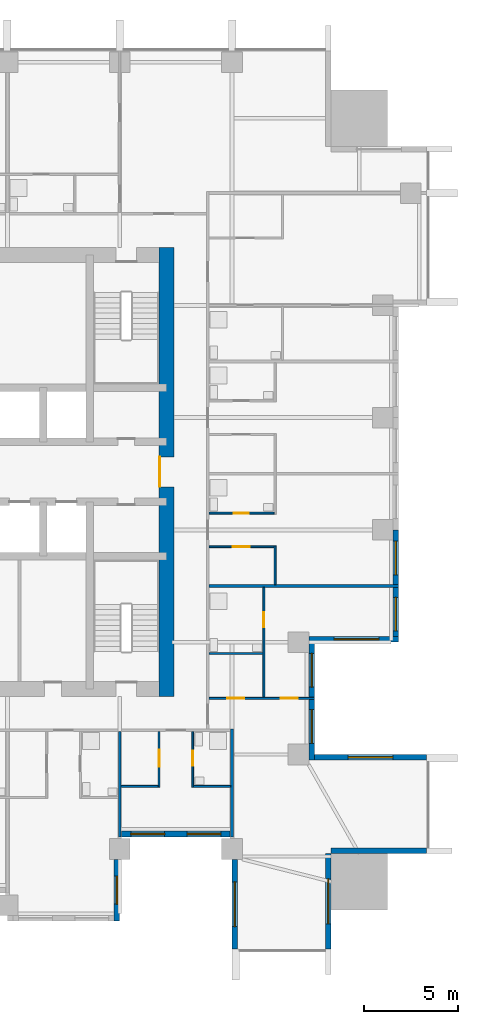
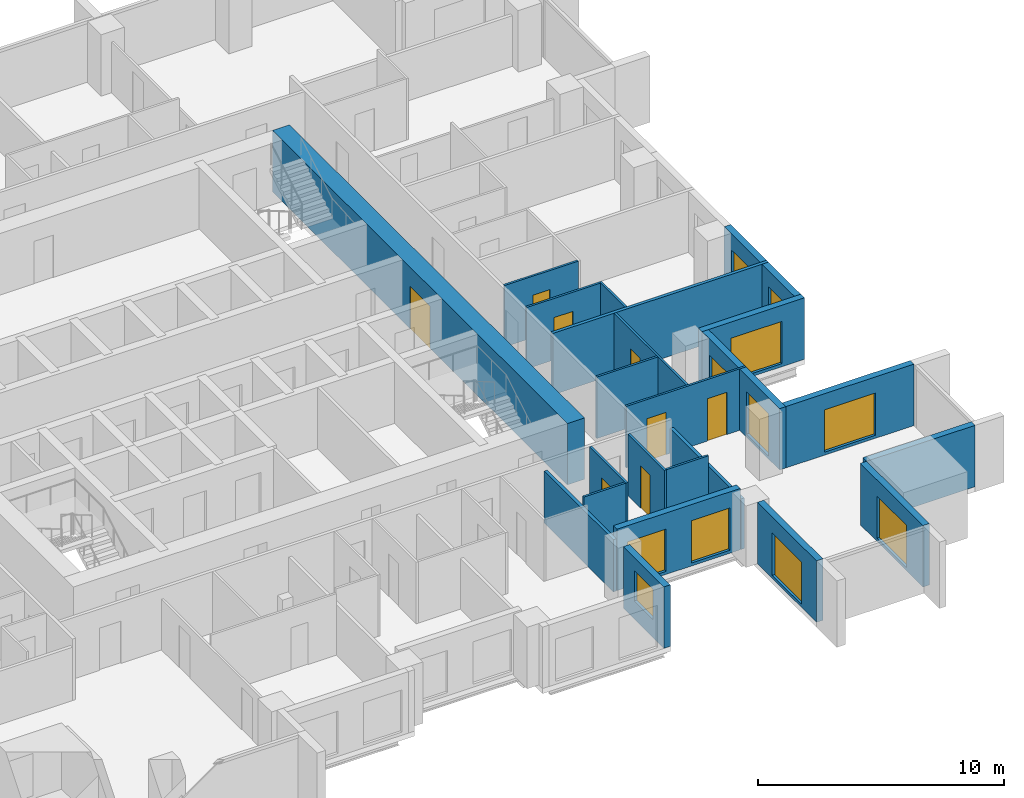
# One storey, part 6 of 11: 23 walls, 11 windows, 8 doors, 19 openings.
"""IFC4 building model written with IfcOpenShell, lengths in metres."""

from ifc_helpers import new_model, si_unit, direction, frame, frame_2d, origin, place, context, subcontext, project, spatial, rectangle, extrude, material, layer, layer_set, type_object, element, fill, save


model = new_model("IFC4")

# Units and contexts
model_context = context("Model", 3, precision=1e-05, world=origin(), true_north=direction((0.0, 1.0)))
body_context = subcontext(model_context, "Body", "Model", "MODEL_VIEW")
ifc_project = project(units=[si_unit("LENGTHUNIT", "METRE"), si_unit("AREAUNIT", "SQUARE_METRE"), si_unit("VOLUMEUNIT", "CUBIC_METRE"), si_unit("PLANEANGLEUNIT", "RADIAN"), si_unit("MASSUNIT", "GRAM", prefix="KILO")], contexts=[model_context])

# Site, building, storey
site_placement = place(None, origin())
site = spatial("IfcSite", under=ifc_project, at=site_placement, CompositionType="ELEMENT")
building_placement = place(site_placement, origin())
building = spatial("IfcBuilding", under=site, at=building_placement, Name="Amberfall Residences", CompositionType="ELEMENT")
storey_placement = place(building_placement, frame((0.0, 0.0, 91.89990234375)))
storey = spatial("IfcBuildingStorey", under=building, at=storey_placement, Name="L24", CompositionType="ELEMENT", Elevation=91.89990234375)

# Wall, opening, window
ifc_material_1 = material(Name="Pale stone cladding on insulated backing", Category="masonry")
ifc_layer_1 = layer(ifc_material_1, 0.300048828125)
ifc_layer_set_1 = layer_set([ifc_layer_1], Name="Bronze clad wall 300")
wall_type_1 = type_object("IfcWallType", Name="Bronze clad wall 300", PredefinedType="SOLIDWALL", material=ifc_layer_set_1)
wall_1_placement = place(storey_placement, frame((83.449951171875, 21.5, 0.0), z_axis=(0.0, 0.0, 1.0), x_axis=(0.0, 1.0, 0.0)))
wall_1 = element("IfcWall", 1, at=wall_1_placement, inside=storey, type_object=wall_type_1, Name="External wall L24 S", PredefinedType="SOLIDWALL", context=body_context, shape_type="SweptSolid", body=[
    extrude(rectangle(XDim=3.300048828125, YDim=0.300048828125, at=frame_2d((1.64990234375, 0.0))), origin(), (0.0, 0.0, 1.0), 3.050048828125),
])
opening_1_placement = place(wall_1_placement, frame((0.89990234375, 0.0, 0.89990234375)))
opening_1 = element("IfcOpeningElement", 2, at=opening_1_placement, cuts=wall_1, Name="Opening WN1", PredefinedType="OPENING", context=body_context, shape_type="SweptSolid", body=[
    extrude(rectangle(XDim=1.5, YDim=1.5, at=frame_2d((0.75, 0.75))), frame((0.0, 0.159912109375, 0.0), z_axis=(0.0, -1.0, 0.0), x_axis=(1.0, 0.0, 0.0)), (0.0, 0.0, 1.0), 0.320068359375),
])
ifc_material_2 = material(Name="Bronze aluminium framed glazing", Category="aluminium")
window_type_1 = type_object("IfcWindowType", Name="Window 1500 x 1500 bronze", PartitioningType="DOUBLE_PANEL_VERTICAL", PredefinedType="WINDOW", material=ifc_material_2)
window_1_placement = place(opening_1_placement, origin())
window_1 = element("IfcWindow", 3, at=window_1_placement, inside=storey, type_object=window_type_1, Name="Window L24 S", OverallHeight=1.5, OverallWidth=1.5, PartitioningType="DOUBLE_PANEL_VERTICAL", PredefinedType="WINDOW", context=body_context, shape_type="SweptSolid", body=[
    extrude(rectangle(XDim=1.5, YDim=1.5, at=frame_2d((0.75, 0.75))), frame((0.0, 0.030029296875, 0.0), z_axis=(0.0, -1.0, 0.0), x_axis=(1.0, 0.0, 0.0)), (0.0, 0.0, 1.0), 0.06005859375),
])
fill(opening_1, window_1)

wall_2_placement = place(storey_placement, frame((89.75, 24.800048828125, 0.0), z_axis=(0.0, 0.0, 1.0), x_axis=(0.0, -1.0, 0.0)))
wall_2 = element("IfcWall", 4, at=wall_2_placement, inside=storey, type_object=wall_type_1, Name="External wall L24 S", PredefinedType="SOLIDWALL", context=body_context, shape_type="SweptSolid", body=[
    extrude(rectangle(XDim=4.800048828125, YDim=0.300048828125, at=frame_2d((2.39990234375, 0.0))), origin(), (0.0, 0.0, 1.0), 3.050048828125),
])
opening_2_placement = place(wall_2_placement, frame((1.199951171875, 0.0, 0.14990234375)))
opening_2 = element("IfcOpeningElement", 5, at=opening_2_placement, cuts=wall_2, Name="Opening WN5", PredefinedType="OPENING", context=body_context, shape_type="SweptSolid", body=[
    extrude(rectangle(XDim=2.39990234375, YDim=2.10009765625, at=frame_2d((1.199951171875, 1.050048828125))), frame((0.0, 0.159912109375, 0.0), z_axis=(0.0, -1.0, 0.0), x_axis=(1.0, 0.0, 0.0)), (0.0, 0.0, 1.0), 0.320068359375),
])
window_type_2 = type_object("IfcWindowType", Name="Glazed opening 2400 x 2100 bronze", PartitioningType="DOUBLE_PANEL_VERTICAL", PredefinedType="WINDOW", material=ifc_material_2)
window_2_placement = place(opening_2_placement, origin())
window_2 = element("IfcWindow", 6, at=window_2_placement, inside=storey, type_object=window_type_2, Name="Window L24 S", OverallHeight=2.10009765625, OverallWidth=2.39990234375, PartitioningType="DOUBLE_PANEL_VERTICAL", PredefinedType="WINDOW", context=body_context, shape_type="SweptSolid", body=[
    extrude(rectangle(XDim=2.39990234375, YDim=2.10009765625, at=frame_2d((1.199951171875, 1.050048828125))), frame((0.0, 0.030029296875, 0.0), z_axis=(0.0, -1.0, 0.0), x_axis=(1.0, 0.0, 0.0)), (0.0, 0.0, 1.0), 0.06005859375),
])
fill(opening_2, window_2)

wall_3_placement = place(storey_placement, frame((94.75, 20.0, 0.0), z_axis=(0.0, 0.0, 1.0), x_axis=(0.0, 1.0, 0.0)))
wall_3 = element("IfcWall", 7, at=wall_3_placement, inside=storey, type_object=wall_type_1, Name="External wall L24 SE", PredefinedType="SOLIDWALL", context=body_context, shape_type="SweptSolid", body=[
    extrude(rectangle(XDim=5.10009765625, YDim=0.300048828125, at=frame_2d((2.550048828125, 0.0))), origin(), (0.0, 0.0, 1.0), 3.050048828125),
])
opening_3_placement = place(wall_3_placement, frame((1.35009765625, 0.0, 0.14990234375)))
opening_3 = element("IfcOpeningElement", 8, at=opening_3_placement, cuts=wall_3, Name="Opening WN5", PredefinedType="OPENING", context=body_context, shape_type="SweptSolid", body=[
    extrude(rectangle(XDim=2.39990234375, YDim=2.10009765625, at=frame_2d((1.199951171875, 1.050048828125))), frame((0.0, 0.159912109375, 0.0), z_axis=(0.0, -1.0, 0.0), x_axis=(1.0, 0.0, 0.0)), (0.0, 0.0, 1.0), 0.320068359375),
])
window_3_placement = place(opening_3_placement, origin())
window_3 = element("IfcWindow", 9, at=window_3_placement, inside=storey, type_object=window_type_2, Name="Window L24 SE", OverallHeight=2.10009765625, OverallWidth=2.39990234375, PartitioningType="DOUBLE_PANEL_VERTICAL", PredefinedType="WINDOW", context=body_context, shape_type="SweptSolid", body=[
    extrude(rectangle(XDim=2.39990234375, YDim=2.10009765625, at=frame_2d((1.199951171875, 1.050048828125))), frame((0.0, 0.030029296875, 0.0), z_axis=(0.0, -1.0, 0.0), x_axis=(1.0, 0.0, 0.0)), (0.0, 0.0, 1.0), 0.06005859375),
])
fill(opening_3, window_3)

# Wall
wall_4_placement = place(storey_placement, frame((94.89990234375, 25.25, 0.0), z_axis=(0.0, 0.0, 1.0), x_axis=(1.0, 0.0, 0.0)))
element("IfcWall", 10, at=wall_4_placement, inside=storey, type_object=wall_type_1, Name="External wall L24 SE", PredefinedType="SOLIDWALL", context=body_context, shape_type="SweptSolid", body=[
    extrude(rectangle(XDim=5.10009765625, YDim=0.300048828125, at=frame_2d((2.550048828125, 0.0))), origin(), (0.0, 0.0, 1.0), 3.050048828125),
])

# Wall, opening, window
wall_5_placement = place(storey_placement, frame((100.0, 30.25, 0.0), z_axis=(0.0, 0.0, 1.0), x_axis=(-1.0, 0.0, 0.0)))
wall_5 = element("IfcWall", 11, at=wall_5_placement, inside=storey, type_object=wall_type_1, Name="External wall L24 E", PredefinedType="SOLIDWALL", context=body_context, shape_type="SweptSolid", body=[
    extrude(rectangle(XDim=6.0, YDim=0.300048828125, at=frame_2d((3.0, 0.0))), origin(), (0.0, 0.0, 1.0), 3.050048828125),
])
opening_4_placement = place(wall_5_placement, frame((1.800048828125, 0.0, 0.14990234375)))
opening_4 = element("IfcOpeningElement", 12, at=opening_4_placement, cuts=wall_5, Name="Opening WN5", PredefinedType="OPENING", context=body_context, shape_type="SweptSolid", body=[
    extrude(rectangle(XDim=2.39990234375, YDim=2.10009765625, at=frame_2d((1.199951171875, 1.050048828125))), frame((0.0, 0.159912109375, 0.0), z_axis=(0.0, -1.0, 0.0), x_axis=(1.0, 0.0, 0.0)), (0.0, 0.0, 1.0), 0.320068359375),
])
window_4_placement = place(opening_4_placement, origin())
window_4 = element("IfcWindow", 13, at=window_4_placement, inside=storey, type_object=window_type_2, Name="Window L24 E", OverallHeight=2.10009765625, OverallWidth=2.39990234375, PartitioningType="DOUBLE_PANEL_VERTICAL", PredefinedType="WINDOW", context=body_context, shape_type="SweptSolid", body=[
    extrude(rectangle(XDim=2.39990234375, YDim=2.10009765625, at=frame_2d((1.199951171875, 1.050048828125))), frame((0.0, 0.030029296875, 0.0), z_axis=(0.0, -1.0, 0.0), x_axis=(1.0, 0.0, 0.0)), (0.0, 0.0, 1.0), 0.06005859375),
])
fill(opening_4, window_4)

wall_6_placement = place(storey_placement, frame((93.699951171875, 36.550048828125, 0.0), z_axis=(0.0, 0.0, 1.0), x_axis=(1.0, 0.0, 0.0)))
wall_6 = element("IfcWall", 14, at=wall_6_placement, inside=storey, type_object=wall_type_1, Name="External wall L24 E", PredefinedType="SOLIDWALL", context=body_context, shape_type="SweptSolid", body=[
    extrude(rectangle(XDim=4.800048828125, YDim=0.300048828125, at=frame_2d((2.39990234375, 0.0))), origin(), (0.0, 0.0, 1.0), 3.050048828125),
])
opening_5_placement = place(wall_6_placement, frame((1.35009765625, 0.0, 0.14990234375)))
opening_5 = element("IfcOpeningElement", 15, at=opening_5_placement, cuts=wall_6, Name="Opening WN5", PredefinedType="OPENING", context=body_context, shape_type="SweptSolid", body=[
    extrude(rectangle(XDim=2.39990234375, YDim=2.10009765625, at=frame_2d((1.199951171875, 1.050048828125))), frame((0.0, 0.159912109375, 0.0), z_axis=(0.0, -1.0, 0.0), x_axis=(1.0, 0.0, 0.0)), (0.0, 0.0, 1.0), 0.320068359375),
])
window_5_placement = place(opening_5_placement, origin())
window_5 = element("IfcWindow", 16, at=window_5_placement, inside=storey, type_object=window_type_2, Name="Window L24 E", OverallHeight=2.10009765625, OverallWidth=2.39990234375, PartitioningType="DOUBLE_PANEL_VERTICAL", PredefinedType="WINDOW", context=body_context, shape_type="SweptSolid", body=[
    extrude(rectangle(XDim=2.39990234375, YDim=2.10009765625, at=frame_2d((1.199951171875, 1.050048828125))), frame((0.0, 0.030029296875, 0.0), z_axis=(0.0, -1.0, 0.0), x_axis=(1.0, 0.0, 0.0)), (0.0, 0.0, 1.0), 0.06005859375),
])
fill(opening_5, window_5)

# Wall, openings, windows
wall_7_placement = place(storey_placement, frame((83.699951171875, 26.14990234375, 0.0), z_axis=(0.0, 0.0, 1.0), x_axis=(1.0, 0.0, 0.0)))
wall_7 = element("IfcWall", 17, at=wall_7_placement, inside=storey, type_object=wall_type_1, Name="Stone wall L24 S", PredefinedType="SOLIDWALL", context=body_context, shape_type="SweptSolid", body=[
    extrude(rectangle(XDim=5.7900390625, YDim=0.300048828125, at=frame_2d((2.89501953125, 0.0))), origin(), (0.0, 0.0, 1.0), 3.050048828125),
])
opening_6_placement = place(wall_7_placement, frame((0.5, 0.0, 0.14990234375)))
opening_6 = element("IfcOpeningElement", 18, at=opening_6_placement, cuts=wall_7, Name="Opening WN6", PredefinedType="OPENING", context=body_context, shape_type="SweptSolid", body=[
    extrude(rectangle(XDim=1.800048828125, YDim=2.10009765625, at=frame_2d((0.89990234375, 1.050048828125))), frame((0.0, 0.159912109375, 0.0), z_axis=(0.0, -1.0, 0.0), x_axis=(1.0, 0.0, 0.0)), (0.0, 0.0, 1.0), 0.320068359375),
])
opening_7_placement = place(wall_7_placement, frame((3.5, 0.0, 0.14990234375)))
opening_7 = element("IfcOpeningElement", 19, at=opening_7_placement, cuts=wall_7, Name="Opening WN6", PredefinedType="OPENING", context=body_context, shape_type="SweptSolid", body=[
    extrude(rectangle(XDim=1.800048828125, YDim=2.10009765625, at=frame_2d((0.89990234375, 1.050048828125))), frame((0.0, 0.159912109375, 0.0), z_axis=(0.0, -1.0, 0.0), x_axis=(1.0, 0.0, 0.0)), (0.0, 0.0, 1.0), 0.320068359375),
])
window_type_3 = type_object("IfcWindowType", Name="Glazed opening 1800 x 2100 bronze", PartitioningType="DOUBLE_PANEL_VERTICAL", PredefinedType="WINDOW", material=ifc_material_2)
window_6_placement = place(opening_6_placement, origin())
window_6 = element("IfcWindow", 20, at=window_6_placement, inside=storey, type_object=window_type_3, Name="Window L24 S", OverallHeight=2.10009765625, OverallWidth=1.800048828125, PartitioningType="DOUBLE_PANEL_VERTICAL", PredefinedType="WINDOW", context=body_context, shape_type="SweptSolid", body=[
    extrude(rectangle(XDim=1.800048828125, YDim=2.10009765625, at=frame_2d((0.89990234375, 1.050048828125))), frame((0.0, 0.030029296875, 0.0), z_axis=(0.0, -1.0, 0.0), x_axis=(1.0, 0.0, 0.0)), (0.0, 0.0, 1.0), 0.06005859375),
])
fill(opening_6, window_6)
window_7_placement = place(opening_7_placement, origin())
window_7 = element("IfcWindow", 21, at=window_7_placement, inside=storey, type_object=window_type_3, Name="Window L24 S", OverallHeight=2.10009765625, OverallWidth=1.800048828125, PartitioningType="DOUBLE_PANEL_VERTICAL", PredefinedType="WINDOW", context=body_context, shape_type="SweptSolid", body=[
    extrude(rectangle(XDim=1.800048828125, YDim=2.10009765625, at=frame_2d((0.89990234375, 1.050048828125))), frame((0.0, 0.030029296875, 0.0), z_axis=(0.0, -1.0, 0.0), x_axis=(1.0, 0.0, 0.0)), (0.0, 0.0, 1.0), 0.06005859375),
])
fill(opening_7, window_7)

wall_8_placement = place(storey_placement, frame((93.85009765625, 30.10009765625, 0.0), z_axis=(0.0, 0.0, 1.0), x_axis=(0.0, 1.0, 0.0)))
wall_8 = element("IfcWall", 22, at=wall_8_placement, inside=storey, type_object=wall_type_1, Name="Stone wall L24 E", PredefinedType="SOLIDWALL", context=body_context, shape_type="SweptSolid", body=[
    extrude(rectangle(XDim=6.2998046875, YDim=0.300048828125, at=frame_2d((3.14990234375, 0.0))), origin(), (0.0, 0.0, 1.0), 3.050048828125),
])
opening_8_placement = place(wall_8_placement, frame((0.89990234375, 0.0, 0.14990234375)))
opening_8 = element("IfcOpeningElement", 23, at=opening_8_placement, cuts=wall_8, Name="Opening WN6", PredefinedType="OPENING", context=body_context, shape_type="SweptSolid", body=[
    extrude(rectangle(XDim=1.800048828125, YDim=2.10009765625, at=frame_2d((0.89990234375, 1.050048828125))), frame((0.0, 0.159912109375, 0.0), z_axis=(0.0, -1.0, 0.0), x_axis=(1.0, 0.0, 0.0)), (0.0, 0.0, 1.0), 0.320068359375),
])
opening_9_placement = place(wall_8_placement, frame((3.89990234375, 0.0, 0.14990234375)))
opening_9 = element("IfcOpeningElement", 24, at=opening_9_placement, cuts=wall_8, Name="Opening WN6", PredefinedType="OPENING", context=body_context, shape_type="SweptSolid", body=[
    extrude(rectangle(XDim=1.800048828125, YDim=2.10009765625, at=frame_2d((0.89990234375, 1.050048828125))), frame((0.0, 0.159912109375, 0.0), z_axis=(0.0, -1.0, 0.0), x_axis=(1.0, 0.0, 0.0)), (0.0, 0.0, 1.0), 0.320068359375),
])
window_8_placement = place(opening_8_placement, origin())
window_8 = element("IfcWindow", 25, at=window_8_placement, inside=storey, type_object=window_type_3, Name="Window L24 E", OverallHeight=2.10009765625, OverallWidth=1.800048828125, PartitioningType="DOUBLE_PANEL_VERTICAL", PredefinedType="WINDOW", context=body_context, shape_type="SweptSolid", body=[
    extrude(rectangle(XDim=1.800048828125, YDim=2.10009765625, at=frame_2d((0.89990234375, 1.050048828125))), frame((0.0, 0.030029296875, 0.0), z_axis=(0.0, -1.0, 0.0), x_axis=(1.0, 0.0, 0.0)), (0.0, 0.0, 1.0), 0.06005859375),
])
fill(opening_8, window_8)
window_9_placement = place(opening_9_placement, origin())
window_9 = element("IfcWindow", 26, at=window_9_placement, inside=storey, type_object=window_type_3, Name="Window L24 E", OverallHeight=2.10009765625, OverallWidth=1.800048828125, PartitioningType="DOUBLE_PANEL_VERTICAL", PredefinedType="WINDOW", context=body_context, shape_type="SweptSolid", body=[
    extrude(rectangle(XDim=1.800048828125, YDim=2.10009765625, at=frame_2d((0.89990234375, 1.050048828125))), frame((0.0, 0.030029296875, 0.0), z_axis=(0.0, -1.0, 0.0), x_axis=(1.0, 0.0, 0.0)), (0.0, 0.0, 1.0), 0.06005859375),
])
fill(opening_9, window_9)

wall_9_placement = place(storey_placement, frame((98.35009765625, 36.699951171875, 0.0), z_axis=(0.0, 0.0, 1.0), x_axis=(0.0, 1.0, 0.0)))
wall_9 = element("IfcWall", 27, at=wall_9_placement, inside=storey, type_object=wall_type_1, Name="Stone wall L24 E", PredefinedType="SOLIDWALL", context=body_context, shape_type="SweptSolid", body=[
    extrude(rectangle(XDim=5.699951171875, YDim=0.300048828125, at=frame_2d((2.85009765625, 0.0))), origin(), (0.0, 0.0, 1.0), 3.050048828125),
])
opening_10_placement = place(wall_9_placement, frame((0.300048828125, 0.0, 0.14990234375)))
opening_10 = element("IfcOpeningElement", 28, at=opening_10_placement, cuts=wall_9, Name="Opening WN6", PredefinedType="OPENING", context=body_context, shape_type="SweptSolid", body=[
    extrude(rectangle(XDim=1.800048828125, YDim=2.10009765625, at=frame_2d((0.89990234375, 1.050048828125))), frame((0.0, 0.159912109375, 0.0), z_axis=(0.0, -1.0, 0.0), x_axis=(1.0, 0.0, 0.0)), (0.0, 0.0, 1.0), 0.320068359375),
])
opening_11_placement = place(wall_9_placement, frame((3.300048828125, 0.0, 0.14990234375)))
opening_11 = element("IfcOpeningElement", 29, at=opening_11_placement, cuts=wall_9, Name="Opening WN6", PredefinedType="OPENING", context=body_context, shape_type="SweptSolid", body=[
    extrude(rectangle(XDim=1.800048828125, YDim=2.10009765625, at=frame_2d((0.89990234375, 1.050048828125))), frame((0.0, 0.159912109375, 0.0), z_axis=(0.0, -1.0, 0.0), x_axis=(1.0, 0.0, 0.0)), (0.0, 0.0, 1.0), 0.320068359375),
])
window_10_placement = place(opening_10_placement, origin())
window_10 = element("IfcWindow", 30, at=window_10_placement, inside=storey, type_object=window_type_3, Name="Window L24 E", OverallHeight=2.10009765625, OverallWidth=1.800048828125, PartitioningType="DOUBLE_PANEL_VERTICAL", PredefinedType="WINDOW", context=body_context, shape_type="SweptSolid", body=[
    extrude(rectangle(XDim=1.800048828125, YDim=2.10009765625, at=frame_2d((0.89990234375, 1.050048828125))), frame((0.0, 0.030029296875, 0.0), z_axis=(0.0, -1.0, 0.0), x_axis=(1.0, 0.0, 0.0)), (0.0, 0.0, 1.0), 0.06005859375),
])
fill(opening_10, window_10)
window_11_placement = place(opening_11_placement, origin())
window_11 = element("IfcWindow", 31, at=window_11_placement, inside=storey, type_object=window_type_3, Name="Window L24 E", OverallHeight=2.10009765625, OverallWidth=1.800048828125, PartitioningType="DOUBLE_PANEL_VERTICAL", PredefinedType="WINDOW", context=body_context, shape_type="SweptSolid", body=[
    extrude(rectangle(XDim=1.800048828125, YDim=2.10009765625, at=frame_2d((0.89990234375, 1.050048828125))), frame((0.0, 0.030029296875, 0.0), z_axis=(0.0, -1.0, 0.0), x_axis=(1.0, 0.0, 0.0)), (0.0, 0.0, 1.0), 0.06005859375),
])
fill(opening_11, window_11)

# Wall, opening, door
ifc_material_3 = material(Name="Concrete C70", Category="concrete")
ifc_layer_2 = layer(ifc_material_3, 0.800048828125)
ifc_layer_set_2 = layer_set([ifc_layer_2], Name="Core wall 800 C70")
wall_type_2 = type_object("IfcWallType", Name="Core wall 800 C70", PredefinedType="SHEAR", material=ifc_layer_set_2)
wall_10_placement = place(storey_placement, frame((86.10009765625, 33.5, 0.0), z_axis=(0.0, 0.0, 1.0), x_axis=(0.0, 1.0, 0.0)))
wall_10 = element("IfcWall", 32, at=wall_10_placement, inside=storey, type_object=wall_type_2, Name="Core wall RW3 L24 OE", PredefinedType="SHEAR", context=body_context, shape_type="SweptSolid", body=[
    extrude(rectangle(XDim=24.0, YDim=0.800048828125, at=frame_2d((12.0, 0.0))), origin(), (0.0, 0.0, 1.0), 3.050048828125),
])
opening_12_placement = place(wall_10_placement, frame((11.199951171875, 0.0, 0.0)))
opening_12 = element("IfcOpeningElement", 33, at=opening_12_placement, cuts=wall_10, Name="Opening LB1", PredefinedType="OPENING", context=body_context, shape_type="SweptSolid", body=[
    extrude(rectangle(XDim=1.60009765625, YDim=2.10009765625, at=frame_2d((0.800048828125, 1.050048828125))), frame((0.0, 0.409912109375, 0.0), z_axis=(0.0, -1.0, 0.0), x_axis=(1.0, 0.0, 0.0)), (0.0, 0.0, 1.0), 0.820068359375),
])
ifc_material_4 = material(Name="Steel fire door set", Category="steel")
door_type_1 = type_object("IfcDoorType", Name="Lift lobby double door 1600 x 2100", OperationType="DOUBLE_DOOR_SINGLE_SWING", PredefinedType="DOOR", material=ifc_material_4)
door_1_placement = place(opening_12_placement, origin())
door_1 = element("IfcDoor", 34, at=door_1_placement, inside=storey, type_object=door_type_1, Name="LB1 L24", OperationType="DOUBLE_DOOR_SINGLE_SWING", OverallHeight=2.10009765625, OverallWidth=1.60009765625, PredefinedType="DOOR", context=body_context, shape_type="SweptSolid", body=[
    extrude(rectangle(XDim=1.60009765625, YDim=2.10009765625, at=frame_2d((0.800048828125, 1.050048828125))), frame((0.0, 0.3876953125, 0.0), z_axis=(0.0, -1.0, 0.0), x_axis=(1.0, 0.0, 0.0)), (0.0, 0.0, 1.0), 0.050048828125),
])
fill(opening_12, door_1)

ifc_material_5 = material(Name="Gypsum board on metal stud")
ifc_layer_3 = layer(ifc_material_5, 0.10009765625)
ifc_layer_set_3 = layer_set([ifc_layer_3], Name="Flat partition 100")
wall_type_3 = type_object("IfcWallType", Name="Flat partition 100", PredefinedType="PARTITIONING", material=ifc_layer_set_3)
wall_11_placement = place(storey_placement, frame((85.699951171875, 28.64990234375, 0.0), z_axis=(0.0, 0.0, 1.0), x_axis=(0.0, 1.0, 0.0)))
wall_11 = element("IfcWall", 35, at=wall_11_placement, inside=storey, type_object=wall_type_3, Name="Partition 019", PredefinedType="PARTITIONING", context=body_context, shape_type="SweptSolid", body=[
    extrude(rectangle(XDim=2.97509765625, YDim=0.10009765625, at=frame_2d((1.487548828125, 0.0))), origin(), (0.0, 0.0, 1.0), 3.050048828125),
])
opening_13_placement = place(wall_11_placement, frame((1.10009765625, 0.0, 0.0)))
opening_13 = element("IfcOpeningElement", 36, at=opening_13_placement, cuts=wall_11, Name="Opening D41", PredefinedType="OPENING", context=body_context, shape_type="SweptSolid", body=[
    extrude(rectangle(XDim=0.89990234375, YDim=2.10009765625, at=frame_2d((0.449951171875, 1.050048828125))), frame((0.0, 0.06005859375, 0.0), z_axis=(0.0, -1.0, 0.0), x_axis=(1.0, 0.0, 0.0)), (0.0, 0.0, 1.0), 0.1201171875),
])
ifc_material_6 = material(Name="Timber", Category="wood")
door_type_2 = type_object("IfcDoorType", Name="Internal door 900 x 2100", OperationType="SINGLE_SWING_LEFT", PredefinedType="DOOR", material=ifc_material_6)
door_2_placement = place(opening_13_placement, origin())
door_2 = element("IfcDoor", 37, at=door_2_placement, inside=storey, type_object=door_type_2, Name="Door 2404 kitchen", OperationType="SINGLE_SWING_LEFT", OverallHeight=2.10009765625, OverallWidth=0.89990234375, PredefinedType="DOOR", context=body_context, shape_type="SweptSolid", body=[
    extrude(rectangle(XDim=0.89990234375, YDim=2.10009765625, at=frame_2d((0.449951171875, 1.050048828125))), frame((0.0, 0.02490234375, 0.0), z_axis=(0.0, -1.0, 0.0), x_axis=(1.0, 0.0, 0.0)), (0.0, 0.0, 1.0), 0.050048828125),
])
fill(opening_13, door_2)

wall_12_placement = place(storey_placement, frame((87.5, 31.625, 0.0), z_axis=(0.0, 0.0, 1.0), x_axis=(0.0, -1.0, 0.0)))
wall_12 = element("IfcWall", 38, at=wall_12_placement, inside=storey, type_object=wall_type_3, Name="Partition 020", PredefinedType="PARTITIONING", context=body_context, shape_type="SweptSolid", body=[
    extrude(rectangle(XDim=2.97509765625, YDim=0.10009765625, at=frame_2d((1.487548828125, 0.0))), origin(), (0.0, 0.0, 1.0), 3.050048828125),
])
opening_14_placement = place(wall_12_placement, frame((1.02490234375, 0.0, 0.0)))
opening_14 = element("IfcOpeningElement", 39, at=opening_14_placement, cuts=wall_12, Name="Opening D42", PredefinedType="OPENING", context=body_context, shape_type="SweptSolid", body=[
    extrude(rectangle(XDim=0.800048828125, YDim=2.10009765625, at=frame_2d((0.39990234375, 1.050048828125))), frame((0.0, 0.06005859375, 0.0), z_axis=(0.0, -1.0, 0.0), x_axis=(1.0, 0.0, 0.0)), (0.0, 0.0, 1.0), 0.1201171875),
])
door_type_3 = type_object("IfcDoorType", Name="Bathroom door 800 x 2100", OperationType="SINGLE_SWING_LEFT", PredefinedType="DOOR", material=ifc_material_6)
door_3_placement = place(opening_14_placement, origin())
door_3 = element("IfcDoor", 40, at=door_3_placement, inside=storey, type_object=door_type_3, Name="Door 2404 bath1", OperationType="SINGLE_SWING_LEFT", OverallHeight=2.10009765625, OverallWidth=0.800048828125, PredefinedType="DOOR", context=body_context, shape_type="SweptSolid", body=[
    extrude(rectangle(XDim=0.800048828125, YDim=2.10009765625, at=frame_2d((0.39990234375, 1.050048828125))), frame((0.0, 0.02490234375, 0.0), z_axis=(0.0, -1.0, 0.0), x_axis=(1.0, 0.0, 0.0)), (0.0, 0.0, 1.0), 0.050048828125),
])
fill(opening_14, door_3)

wall_13_placement = place(storey_placement, frame((91.300048828125, 33.449951171875, 0.0), z_axis=(0.0, 0.0, 1.0), x_axis=(0.0, 1.0, 0.0)))
wall_13 = element("IfcWall", 41, at=wall_13_placement, inside=storey, type_object=wall_type_3, Name="Partition 021", PredefinedType="PARTITIONING", context=body_context, shape_type="SweptSolid", body=[
    extrude(rectangle(XDim=5.875, YDim=0.10009765625, at=frame_2d((2.9375, 0.0))), origin(), (0.0, 0.0, 1.0), 3.050048828125),
])
opening_15_placement = place(wall_13_placement, frame((3.75, 0.0, 0.0)))
opening_15 = element("IfcOpeningElement", 42, at=opening_15_placement, cuts=wall_13, Name="Opening D42", PredefinedType="OPENING", context=body_context, shape_type="SweptSolid", body=[
    extrude(rectangle(XDim=0.800048828125, YDim=2.10009765625, at=frame_2d((0.39990234375, 1.050048828125))), frame((0.0, 0.06005859375, 0.0), z_axis=(0.0, -1.0, 0.0), x_axis=(1.0, 0.0, 0.0)), (0.0, 0.0, 1.0), 0.1201171875),
])
door_4_placement = place(opening_15_placement, origin())
door_4 = element("IfcDoor", 43, at=door_4_placement, inside=storey, type_object=door_type_3, Name="Door 2405 bath1", OperationType="SINGLE_SWING_LEFT", OverallHeight=2.10009765625, OverallWidth=0.800048828125, PredefinedType="DOOR", context=body_context, shape_type="SweptSolid", body=[
    extrude(rectangle(XDim=0.800048828125, YDim=2.10009765625, at=frame_2d((0.39990234375, 1.050048828125))), frame((0.0, 0.02490234375, 0.0), z_axis=(0.0, -1.0, 0.0), x_axis=(1.0, 0.0, 0.0)), (0.0, 0.0, 1.0), 0.050048828125),
])
fill(opening_15, door_4)

# Wall
wall_14_placement = place(storey_placement, frame((91.89990234375, 39.47509765625, 0.0), z_axis=(0.0, 0.0, 1.0), x_axis=(0.0, 1.0, 0.0)))
element("IfcWall", 44, at=wall_14_placement, inside=storey, type_object=wall_type_3, Name="Partition 022", PredefinedType="PARTITIONING", context=body_context, shape_type="SweptSolid", body=[
    extrude(rectangle(XDim=2.074951171875, YDim=0.10009765625, at=frame_2d((1.03759765625, 0.0))), origin(), (0.0, 0.0, 1.0), 3.050048828125),
])

# Wall, opening, door
wall_15_placement = place(storey_placement, frame((88.375, 43.300048828125, 0.0), z_axis=(0.0, 0.0, 1.0), x_axis=(1.0, 0.0, 0.0)))
wall_15 = element("IfcWall", 45, at=wall_15_placement, inside=storey, type_object=wall_type_3, Name="Partition 039", PredefinedType="PARTITIONING", context=body_context, shape_type="SweptSolid", body=[
    extrude(rectangle(XDim=3.47509765625, YDim=0.10009765625, at=frame_2d((1.737548828125, 0.0))), origin(), (0.0, 0.0, 1.0), 3.050048828125),
])
opening_16_placement = place(wall_15_placement, frame((1.324951171875, 0.0, 0.0)))
opening_16 = element("IfcOpeningElement", 46, at=opening_16_placement, cuts=wall_15, Name="Opening D42", PredefinedType="OPENING", context=body_context, shape_type="SweptSolid", body=[
    extrude(rectangle(XDim=0.800048828125, YDim=2.10009765625, at=frame_2d((0.39990234375, 1.050048828125))), frame((0.0, 0.06005859375, 0.0), z_axis=(0.0, -1.0, 0.0), x_axis=(1.0, 0.0, 0.0)), (0.0, 0.0, 1.0), 0.1201171875),
])
door_5_placement = place(opening_16_placement, origin())
door_5 = element("IfcDoor", 47, at=door_5_placement, inside=storey, type_object=door_type_3, Name="Door 2406 bath1", OperationType="SINGLE_SWING_LEFT", OverallHeight=2.10009765625, OverallWidth=0.800048828125, PredefinedType="DOOR", context=body_context, shape_type="SweptSolid", body=[
    extrude(rectangle(XDim=0.800048828125, YDim=2.10009765625, at=frame_2d((0.39990234375, 1.050048828125))), frame((0.0, 0.02490234375, 0.0), z_axis=(0.0, -1.0, 0.0), x_axis=(1.0, 0.0, 0.0)), (0.0, 0.0, 1.0), 0.050048828125),
])
fill(opening_16, door_5)

wall_16_placement = place(storey_placement, frame((91.85009765625, 41.5, 0.0), z_axis=(0.0, 0.0, 1.0), x_axis=(-1.0, 0.0, 0.0)))
wall_16 = element("IfcWall", 48, at=wall_16_placement, inside=storey, type_object=wall_type_3, Name="Partition 040", PredefinedType="PARTITIONING", context=body_context, shape_type="SweptSolid", body=[
    extrude(rectangle(XDim=3.47509765625, YDim=0.10009765625, at=frame_2d((1.737548828125, 0.0))), origin(), (0.0, 0.0, 1.0), 3.050048828125),
])
opening_17_placement = place(wall_16_placement, frame((1.300048828125, 0.0, 0.0)))
opening_17 = element("IfcOpeningElement", 49, at=opening_17_placement, cuts=wall_16, Name="Opening D41", PredefinedType="OPENING", context=body_context, shape_type="SweptSolid", body=[
    extrude(rectangle(XDim=0.89990234375, YDim=2.10009765625, at=frame_2d((0.449951171875, 1.050048828125))), frame((0.0, 0.06005859375, 0.0), z_axis=(0.0, -1.0, 0.0), x_axis=(1.0, 0.0, 0.0)), (0.0, 0.0, 1.0), 0.1201171875),
])
door_6_placement = place(opening_17_placement, origin())
door_6 = element("IfcDoor", 50, at=door_6_placement, inside=storey, type_object=door_type_2, Name="Door 2406 kitchen", OperationType="SINGLE_SWING_LEFT", OverallHeight=2.10009765625, OverallWidth=0.89990234375, PredefinedType="DOOR", context=body_context, shape_type="SweptSolid", body=[
    extrude(rectangle(XDim=0.89990234375, YDim=2.10009765625, at=frame_2d((0.449951171875, 1.050048828125))), frame((0.0, 0.02490234375, 0.0), z_axis=(0.0, -1.0, 0.0), x_axis=(1.0, 0.0, 0.0)), (0.0, 0.0, 1.0), 0.050048828125),
])
fill(opening_17, door_6)

# Wall
wall_17_placement = place(storey_placement, frame((88.375, 35.800048828125, 0.0), z_axis=(0.0, 0.0, 1.0), x_axis=(1.0, 0.0, 0.0)))
element("IfcWall", 51, at=wall_17_placement, inside=storey, type_object=wall_type_3, Name="Partition 043", PredefinedType="PARTITIONING", context=body_context, shape_type="SweptSolid", body=[
    extrude(rectangle(XDim=2.875, YDim=0.10009765625, at=frame_2d((1.4375, 0.0))), origin(), (0.0, 0.0, 1.0), 3.050048828125),
])

# Wall, openings, doors
wall_18_placement = place(storey_placement, frame((88.375, 33.39990234375, 0.0), z_axis=(0.0, 0.0, 1.0), x_axis=(1.0, 0.0, 0.0)))
wall_18 = element("IfcWall", 52, at=wall_18_placement, inside=storey, type_object=wall_type_3, Name="Partition 045", PredefinedType="PARTITIONING", context=body_context, shape_type="SweptSolid", body=[
    extrude(rectangle(XDim=5.625, YDim=0.10009765625, at=frame_2d((2.8125, 0.0))), origin(), (0.0, 0.0, 1.0), 3.050048828125),
])
opening_18_placement = place(wall_18_placement, frame((0.97509765625, 0.0, 0.0)))
opening_18 = element("IfcOpeningElement", 53, at=opening_18_placement, cuts=wall_18, Name="Opening D41", PredefinedType="OPENING", context=body_context, shape_type="SweptSolid", body=[
    extrude(rectangle(XDim=0.89990234375, YDim=2.10009765625, at=frame_2d((0.449951171875, 1.050048828125))), frame((0.0, 0.06005859375, 0.0), z_axis=(0.0, -1.0, 0.0), x_axis=(1.0, 0.0, 0.0)), (0.0, 0.0, 1.0), 0.1201171875),
])
opening_19_placement = place(wall_18_placement, frame((3.824951171875, 0.0, 0.0)))
opening_19 = element("IfcOpeningElement", 54, at=opening_19_placement, cuts=wall_18, Name="Opening D41", PredefinedType="OPENING", context=body_context, shape_type="SweptSolid", body=[
    extrude(rectangle(XDim=0.89990234375, YDim=2.10009765625, at=frame_2d((0.449951171875, 1.050048828125))), frame((0.0, 0.06005859375, 0.0), z_axis=(0.0, -1.0, 0.0), x_axis=(1.0, 0.0, 0.0)), (0.0, 0.0, 1.0), 0.1201171875),
])
door_7_placement = place(opening_18_placement, origin())
door_7 = element("IfcDoor", 55, at=door_7_placement, inside=storey, type_object=door_type_2, Name="Door 2405 kitchen", OperationType="SINGLE_SWING_LEFT", OverallHeight=2.10009765625, OverallWidth=0.89990234375, PredefinedType="DOOR", context=body_context, shape_type="SweptSolid", body=[
    extrude(rectangle(XDim=0.89990234375, YDim=2.10009765625, at=frame_2d((0.449951171875, 1.050048828125))), frame((0.0, 0.02490234375, 0.0), z_axis=(0.0, -1.0, 0.0), x_axis=(1.0, 0.0, 0.0)), (0.0, 0.0, 1.0), 0.050048828125),
])
fill(opening_18, door_7)
door_8_placement = place(opening_19_placement, origin())
door_8 = element("IfcDoor", 56, at=door_8_placement, inside=storey, type_object=door_type_2, Name="Door 2405 bedroom1", OperationType="SINGLE_SWING_LEFT", OverallHeight=2.10009765625, OverallWidth=0.89990234375, PredefinedType="DOOR", context=body_context, shape_type="SweptSolid", body=[
    extrude(rectangle(XDim=0.89990234375, YDim=2.10009765625, at=frame_2d((0.449951171875, 1.050048828125))), frame((0.0, 0.02490234375, 0.0), z_axis=(0.0, -1.0, 0.0), x_axis=(1.0, 0.0, 0.0)), (0.0, 0.0, 1.0), 0.050048828125),
])
fill(opening_19, door_8)

# Walls
for number, where, z_axis, x_axis, name in (
    (57, (83.675048828125, 28.699951171875, 0.0), (0.0, 0.0, 1.0), (1.0, 0.0, 0.0), "Partition 047"),
    (58, (87.550048828125, 28.699951171875, 0.0), (0.0, 0.0, 1.0), (1.0, 0.0, 0.0), "Partition 048"),
):
    element("IfcWall", number, at=place(storey_placement, frame(where, z_axis=z_axis, x_axis=x_axis)), inside=storey, type_object=wall_type_3, Name=name, PredefinedType="PARTITIONING", context=body_context, shape_type="SweptSolid", body=[
        extrude(rectangle(XDim=1.974853515625, YDim=0.10009765625, at=frame_2d((0.9873046875, 0.0))), origin(), (0.0, 0.0, 1.0), 3.050048828125),
    ])
ifc_material_7 = material(Name="Blockwork, plastered", Category="masonry")
ifc_layer_4 = layer(ifc_material_7, 0.14990234375)
ifc_layer_set_4 = layer_set([ifc_layer_4], Name="Flat separating wall 150")
wall_type_4 = type_object("IfcWallType", Name="Flat separating wall 150", PredefinedType="PARTITIONING", material=ifc_layer_set_4)
wall_19_placement = place(storey_placement, frame((83.60009765625, 26.0, 0.0), z_axis=(0.0, 0.0, 1.0), x_axis=(0.0, 1.0, 0.0)))
element("IfcWall", 59, at=wall_19_placement, inside=storey, type_object=wall_type_4, Name="Separating wall 060", PredefinedType="PARTITIONING", context=body_context, shape_type="SweptSolid", body=[
    extrude(rectangle(XDim=5.625, YDim=0.14990234375, at=frame_2d((2.8125, 0.0))), origin(), (0.0, 0.0, 1.0), 2.590087890625),
])
wall_20_placement = place(storey_placement, frame((89.60009765625, 26.0, 0.0), z_axis=(0.0, 0.0, 1.0), x_axis=(0.0, 1.0, 0.0)))
element("IfcWall", 60, at=wall_20_placement, inside=storey, type_object=wall_type_4, Name="Separating wall 062", PredefinedType="PARTITIONING", context=body_context, shape_type="SweptSolid", body=[
    extrude(rectangle(XDim=5.77490234375, YDim=0.14990234375, at=frame_2d((2.887451171875, 0.0))), origin(), (0.0, 0.0, 1.0), 2.51611328125),
])
wall_21_placement = place(storey_placement, frame((88.375, 39.39990234375, 0.0), z_axis=(0.0, 0.0, 1.0), x_axis=(1.0, 0.0, 0.0)))
element("IfcWall", 61, at=wall_21_placement, inside=storey, type_object=wall_type_4, Name="Separating wall 069", PredefinedType="PARTITIONING", context=body_context, shape_type="SweptSolid", body=[
    extrude(rectangle(XDim=10.125, YDim=0.14990234375, at=frame_2d((5.0625, 0.0))), origin(), (0.0, 0.0, 1.0), 3.050048828125),
])

save(model, "model.ifc")
